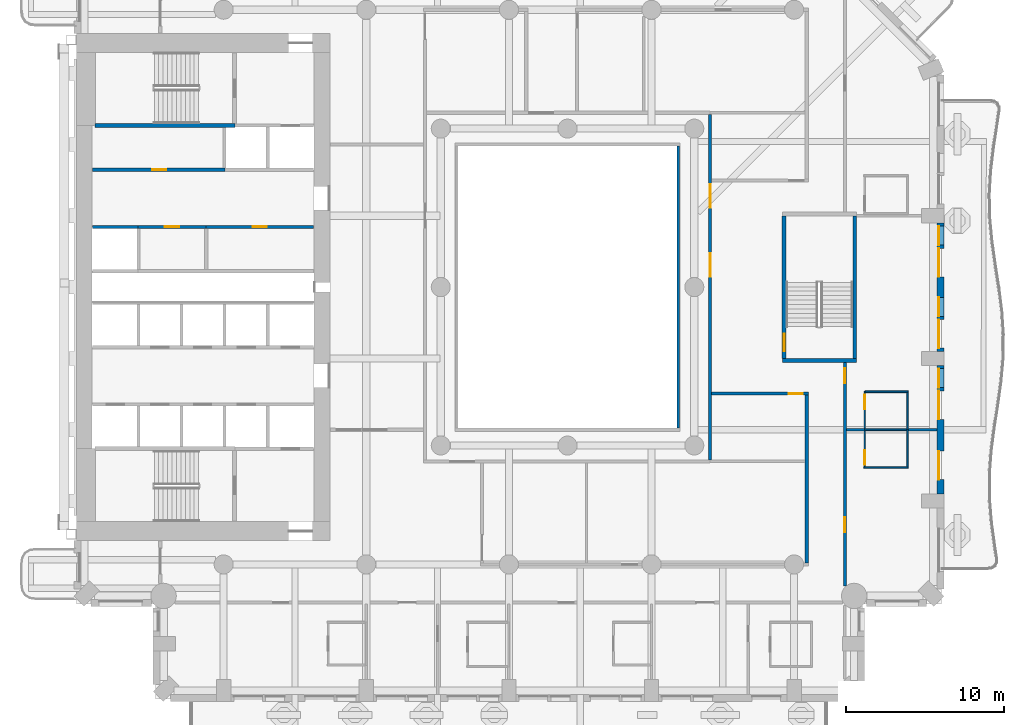
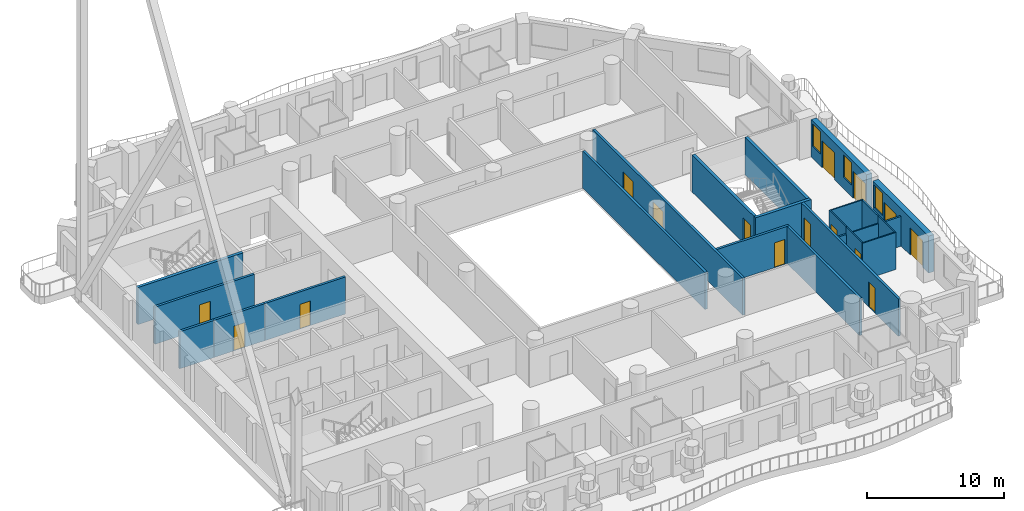
# One storey, part 8 of 24: 24 walls, 15 doors, 3 windows, 18 openings.
"""IFC4 building model written with IfcOpenShell, lengths in metres."""

import ifcopenshell
import ifcopenshell.guid

model = None  # the IFC model being written
_history = None  # IfcOwnerHistory: only IFC2X3 demands one
_inside = {}  # id of a spatial element -> (the spatial element, [elements in it])
_under = {}  # id of a project, library or spatial element -> (it, [spatial elements below it])
_declared = {}  # id of a project -> (the project, [libraries it declares])
_typed = {}  # id of a type object -> (the type object, [elements of that type])
_made_of = {}  # id of a material, layer set ... -> (it, [elements and type objects made of it])


def new_model(schema):
    """Start an empty IFC model of exactly this schema.

    Asked for "IFC4X3", IfcOpenShell would pick the latest addendum, in which some entities
    have other attributes; the version numbers below select the first issue.
    IFC2X3 requires an IfcOwnerHistory on every rooted entity: one is made here for all.
    """
    global model, _history
    if schema == "IFC4X3":
        model = ifcopenshell.file(schema_version=(4, 3, 0, 0))
    else:
        model = ifcopenshell.file(schema=schema)
    _inside.clear()
    _under.clear()
    _declared.clear()
    _typed.clear()
    _made_of.clear()
    _history = None
    if model.schema == "IFC2X3":
        org = make("IfcOrganization", Name="unknown")
        user = make(
            "IfcPersonAndOrganization",
            ThePerson=make("IfcPerson", FamilyName="unknown"),
            TheOrganization=org,
        )
        app = make(
            "IfcApplication",
            ApplicationDeveloper=org,
            Version="unknown",
            ApplicationFullName="unknown",
            ApplicationIdentifier="unknown",
        )
        _history = make(
            "IfcOwnerHistory",
            OwningUser=user,
            OwningApplication=app,
            ChangeAction="ADDED",
            CreationDate=0,
        )
    return model


def make(cls, **values):
    """One entity of the class cls with the attributes given. An attribute that is None is left unset."""
    return model.create_entity(
        cls, **{name: value for name, value in values.items() if value is not None}
    )


def rooted(cls, **values):
    """An entity with a GlobalId (a new one), such as an element, a storey or a relation."""
    return make(cls, GlobalId=ifcopenshell.guid.new(), OwnerHistory=_history, **values)


def si_unit(unit_type, name, prefix=None):
    """IfcSIUnit, for example si_unit("LENGTHUNIT", "METRE", prefix="MILLI")."""
    return make("IfcSIUnit", UnitType=unit_type, Prefix=prefix, Name=name)


def assignment(units):
    """IfcUnitAssignment: the units of a project."""
    return None if units is None else make("IfcUnitAssignment", Units=units)


def point(xyz):
    """IfcCartesianPoint."""
    return None if xyz is None else make("IfcCartesianPoint", Coordinates=xyz)


def direction(xyz):
    """IfcDirection."""
    return None if xyz is None else make("IfcDirection", DirectionRatios=xyz)


def frame(location, z_axis=None, x_axis=None):
    """IfcAxis2Placement3D, a coordinate frame: its origin and axes. An axis left out is left unset."""
    return make(
        "IfcAxis2Placement3D",
        Location=point(location),
        Axis=direction(z_axis),
        RefDirection=direction(x_axis),
    )


def frame_2d(location, x_axis=None):
    """IfcAxis2Placement2D, a coordinate frame in the plane: its origin and x axis."""
    return make(
        "IfcAxis2Placement2D", Location=point(location), RefDirection=direction(x_axis)
    )


def origin():
    """The frame at (0, 0, 0) with its axes left unset."""
    return frame((0.0, 0.0, 0.0))


def place(relative_to, where):
    """IfcLocalPlacement: puts the frame where relative to a parent placement (None: the world)."""
    return make(
        "IfcLocalPlacement", PlacementRelTo=relative_to, RelativePlacement=where
    )


def context(
    kind, dimensions, precision=None, world=None, true_north=None, identifier=None
):
    """IfcGeometricRepresentationContext, for example the 3D "Model" context."""
    return make(
        "IfcGeometricRepresentationContext",
        ContextIdentifier=identifier,
        ContextType=kind,
        CoordinateSpaceDimension=dimensions,
        Precision=precision,
        WorldCoordinateSystem=world,
        TrueNorth=true_north,
    )


def subcontext(parent, identifier, kind, view, scale=None):
    """IfcGeometricRepresentationSubContext, for example "Body" below "Model"."""
    return make(
        "IfcGeometricRepresentationSubContext",
        ContextIdentifier=identifier,
        ContextType=kind,
        ParentContext=parent,
        TargetScale=scale,
        TargetView=view,
    )


def project(units=None, contexts=None):
    """IfcProject with its units and contexts."""
    return rooted(
        "IfcProject",
        Name="project",
        RepresentationContexts=contexts,
        UnitsInContext=assignment(units),
    )


def spatial(cls, under=None, at=None, **own):
    """A site, building, storey or space (cls), placed at a placement, below another one or the project."""
    s = rooted(cls, ObjectPlacement=at, **own)
    if under is not None:
        _under.setdefault(under.id(), (under, []))[1].append(s)
    return s


def profile(cls, at=None, kind="AREA", **sizes):
    """A parametric profile (cls). Its sizes go by their IFC names, for example OverallWidth=200.0."""
    return make(cls, ProfileType=kind, Position=at, **sizes)


def rectangle(**sizes):
    """IfcRectangleProfileDef."""
    return profile("IfcRectangleProfileDef", **sizes)


def extrude(swept, where, along, depth):
    """IfcExtrudedAreaSolid: the profile swept, set in the frame where, extruded along a direction by depth."""
    return make(
        "IfcExtrudedAreaSolid",
        SweptArea=swept,
        Position=where,
        ExtrudedDirection=direction(along),
        Depth=depth,
    )


def shape(context_of_items, identifier, shape_type, items):
    """IfcShapeRepresentation: the items that make up one representation, for example the "Body"."""
    return make(
        "IfcShapeRepresentation",
        ContextOfItems=context_of_items,
        RepresentationIdentifier=identifier,
        RepresentationType=shape_type,
        Items=items,
    )


def material(Name=None, Category=None):
    """IfcMaterial."""
    return make("IfcMaterial", Name=Name, Category=Category)


def layer(
    of_material, thickness, ventilated=None, Name=None, Category=None, Priority=None
):
    """IfcMaterialLayer: one layer of a wall or slab, of a material (None: an air gap)."""
    return make(
        "IfcMaterialLayer",
        Material=of_material,
        LayerThickness=thickness,
        IsVentilated=ventilated,
        Name=Name,
        Category=Category,
        Priority=Priority,
    )


def layer_set(layers, Name=None):
    """IfcMaterialLayerSet."""
    return make("IfcMaterialLayerSet", MaterialLayers=layers, LayerSetName=Name)


def made_of(thing, what):
    """Note that an element or type object is made of a material, layer set ...; save() writes the relation."""
    if what is not None:
        _made_of.setdefault(what.id(), (what, []))[1].append(thing)
    return thing


def type_object(cls, material=None, **own):
    """A type object (cls), such as IfcWallType, which elements share."""
    return made_of(rooted(cls, **own), material)


def element(
    cls,
    number,
    at=None,
    inside=None,
    cuts=None,
    type_object=None,
    material=None,
    context=None,
    identifier="Body",
    shape_type=None,
    held_by="IfcProductDefinitionShape",
    body=None,
    shapes=None,
    **own,
):
    """One element of the class cls, such as IfcWall. Its Tag is "e" and its number.

    at: its placement. inside: the storey or other place that contains it. cuts: it is an
    opening in that element (IfcRelVoidsElement). A single representation is given by context,
    identifier, shape_type and body (its items); several are given by shapes. held_by: the class
    of the entity that holds the representations. save() writes the other relations.
    """
    e = rooted(cls, Tag="e%d" % number, ObjectPlacement=at, **own)
    if body is not None:
        shapes = [shape(context, identifier, shape_type, body)]
    if shapes is not None:
        e.Representation = make(held_by, Representations=shapes)
    if inside is not None:
        _inside.setdefault(inside.id(), (inside, []))[1].append(e)
    if cuts is not None:
        rooted(
            "IfcRelVoidsElement", RelatingBuildingElement=cuts, RelatedOpeningElement=e
        )
    if type_object is not None:
        _typed.setdefault(type_object.id(), (type_object, []))[1].append(e)
    return made_of(e, material)


def fill(opening, filler):
    """IfcRelFillsElement: the door or window that sits in an opening."""
    return rooted(
        "IfcRelFillsElement",
        RelatingOpeningElement=opening,
        RelatedBuildingElement=filler,
    )


def aggregate(whole, parts):
    """IfcRelAggregates: a whole, such as a stair, and the parts it consists of."""
    return rooted("IfcRelAggregates", RelatingObject=whole, RelatedObjects=parts)


def save(model, path):
    """Write the relations noted so far, then the file.

    IfcRelAggregates (storeys below a building ...), IfcRelContainedInSpatialStructure (elements
    in a storey), IfcRelDefinesByType, IfcRelAssociatesMaterial and IfcRelDeclares: one each for
    every whole, place, type object, material and project.
    """
    for whole, parts in _under.values():
        aggregate(whole, parts)
    for where, things in _inside.values():
        rooted(
            "IfcRelContainedInSpatialStructure",
            RelatedElements=things,
            RelatingStructure=where,
        )
    for kind, things in _typed.values():
        rooted("IfcRelDefinesByType", RelatedObjects=things, RelatingType=kind)
    for what, things in _made_of.values():
        rooted("IfcRelAssociatesMaterial", RelatedObjects=things, RelatingMaterial=what)
    for by, libraries in _declared.values():
        rooted("IfcRelDeclares", RelatingContext=by, RelatedDefinitions=libraries)
    model.write(path)


model = new_model("IFC4")

# Units and contexts
model_context = context("Model", 3, precision=1e-05, world=origin(), true_north=direction((0.0, 1.0)))
body_context = subcontext(model_context, "Body", "Model", "MODEL_VIEW")
ifc_project = project(units=[si_unit("LENGTHUNIT", "METRE"), si_unit("AREAUNIT", "SQUARE_METRE"), si_unit("VOLUMEUNIT", "CUBIC_METRE"), si_unit("PLANEANGLEUNIT", "RADIAN"), si_unit("MASSUNIT", "GRAM", prefix="KILO")], contexts=[model_context])

# Site, building, storey
site_placement = place(None, origin())
site = spatial("IfcSite", under=ifc_project, at=site_placement, CompositionType="ELEMENT")
building_placement = place(site_placement, origin())
building = spatial("IfcBuilding", under=site, at=building_placement, Name="Cypress Arch Tower", CompositionType="ELEMENT")
storey_placement = place(building_placement, frame((0.0, 0.0, 102.300048828125)))
storey = spatial("IfcBuildingStorey", under=building, at=storey_placement, Name="L20", CompositionType="ELEMENT", Elevation=102.300048828125)

# Wall, openings, doors, window
ifc_material_1 = material(Name="Brick (red buff blend)", Category="masonry")
ifc_layer_1 = layer(ifc_material_1, 0.449951171875)
ifc_layer_set_1 = layer_set([ifc_layer_1], Name="Brick pier and spandrel wall BW450")
wall_type_1 = type_object("IfcWallType", Name="Brick pier and spandrel wall BW450", PredefinedType="SOLIDWALL", material=ifc_layer_set_1)
wall_1_placement = place(storey_placement, frame((24.52490234375, -13.050048828125, 0.0), z_axis=(0.0, 0.0, 1.0), x_axis=(0.0, 1.0, 0.0)))
wall_1 = element("IfcWall", 1, at=wall_1_placement, inside=storey, type_object=wall_type_1, Name="Brick wall L20 A06.1", PredefinedType="SOLIDWALL", context=body_context, shape_type="SweptSolid", body=[
    extrude(rectangle(XDim=8.10009765625, YDim=0.449951171875, at=frame_2d((4.050048828125, 0.0))), origin(), (0.0, 0.0, 1.0), 3.300048828125),
])
opening_1_placement = place(wall_1_placement, frame((0.89990234375, 0.0, 0.0)))
opening_1 = element("IfcOpeningElement", 2, at=opening_1_placement, cuts=wall_1, Name="Opening D-L20-A06.1.1", PredefinedType="OPENING", context=body_context, shape_type="SweptSolid", body=[
    extrude(rectangle(XDim=1.800048828125, YDim=2.39990234375, at=frame_2d((0.89990234375, 1.199951171875))), frame((0.0, 0.23486328125, 0.0), z_axis=(0.0, -1.0, 0.0), x_axis=(1.0, 0.0, 0.0)), (0.0, 0.0, 1.0), 0.469970703125),
])
opening_2_placement = place(wall_1_placement, frame((4.699951171875, 0.0, 0.0)))
opening_2 = element("IfcOpeningElement", 3, at=opening_2_placement, cuts=wall_1, Name="Opening D-L20-A06.1.2", PredefinedType="OPENING", context=body_context, shape_type="SweptSolid", body=[
    extrude(rectangle(XDim=1.800048828125, YDim=2.39990234375, at=frame_2d((0.89990234375, 1.199951171875))), frame((0.0, 0.23486328125, 0.0), z_axis=(0.0, -1.0, 0.0), x_axis=(1.0, 0.0, 0.0)), (0.0, 0.0, 1.0), 0.469970703125),
])
opening_3_placement = place(wall_1_placement, frame((6.699951171875, 0.0, 1.050048828125)))
opening_3 = element("IfcOpeningElement", 4, at=opening_3_placement, cuts=wall_1, Name="Opening W120HD", PredefinedType="OPENING", context=body_context, shape_type="SweptSolid", body=[
    extrude(rectangle(XDim=1.199951171875, YDim=2.0, at=frame_2d((0.60009765625, 1.0))), frame((0.0, 0.23486328125, 0.0), z_axis=(0.0, -1.0, 0.0), x_axis=(1.0, 0.0, 0.0)), (0.0, 0.0, 1.0), 0.469970703125),
])
ifc_material_2 = material(Name="Anodised aluminium, bronze finish, laminated low-emissivity double glazing, large-missile impact rated", Category="aluminium")
door_type_1 = type_object("IfcDoorType", Name="Balcony sliding door 1800x2400", OperationType="SLIDING_TO_LEFT", PredefinedType="DOOR", material=ifc_material_2)
door_1_placement = place(opening_1_placement, origin())
door_1 = element("IfcDoor", 5, at=door_1_placement, inside=storey, type_object=door_type_1, Name="Balcony door L20 A06.1.1", OperationType="SLIDING_TO_LEFT", OverallHeight=2.39990234375, OverallWidth=1.800048828125, PredefinedType="DOOR", context=body_context, shape_type="SweptSolid", body=[
    extrude(rectangle(XDim=1.800048828125, YDim=2.39990234375, at=frame_2d((0.89990234375, 1.199951171875))), frame((0.0, 0.1298828125, 0.0), z_axis=(0.0, -1.0, 0.0), x_axis=(1.0, 0.0, 0.0)), (0.0, 0.0, 1.0), 0.050048828125),
])
fill(opening_1, door_1)
door_2_placement = place(opening_2_placement, origin())
door_2 = element("IfcDoor", 6, at=door_2_placement, inside=storey, type_object=door_type_1, Name="Balcony door L20 A06.1.2", OperationType="SLIDING_TO_LEFT", OverallHeight=2.39990234375, OverallWidth=1.800048828125, PredefinedType="DOOR", context=body_context, shape_type="SweptSolid", body=[
    extrude(rectangle(XDim=1.800048828125, YDim=2.39990234375, at=frame_2d((0.89990234375, 1.199951171875))), frame((0.0, 0.1298828125, 0.0), z_axis=(0.0, -1.0, 0.0), x_axis=(1.0, 0.0, 0.0)), (0.0, 0.0, 1.0), 0.050048828125),
])
fill(opening_2, door_2)
ifc_material_3 = material(Name="Anodised aluminium, bronze finish, laminated low-emissivity double glazing, large-missile impact rated", Category="aluminium")
window_type = type_object("IfcWindowType", Name="Window Hotel 1200x2000 debris-rated", PartitioningType="SINGLE_PANEL", PredefinedType="WINDOW", material=ifc_material_3)
window_1_placement = place(opening_3_placement, origin())
window_1 = element("IfcWindow", 7, at=window_1_placement, inside=storey, type_object=window_type, Name="Window L20 A06.1.2", OverallHeight=2.0, OverallWidth=1.199951171875, PartitioningType="SINGLE_PANEL", PredefinedType="WINDOW", context=body_context, shape_type="SweptSolid", body=[
    extrude(rectangle(XDim=1.199951171875, YDim=2.0, at=frame_2d((0.60009765625, 1.0))), frame((0.0, 0.135009765625, 0.0), z_axis=(0.0, -1.0, 0.0), x_axis=(1.0, 0.0, 0.0)), (0.0, 0.0, 1.0), 0.06005859375),
])
fill(opening_3, window_1)

# Wall, openings, doors, windows
wall_2_placement = place(storey_placement, frame((24.52490234375, -4.050048828125, 0.0), z_axis=(0.0, 0.0, 1.0), x_axis=(0.0, 1.0, 0.0)))
wall_2 = element("IfcWall", 8, at=wall_2_placement, inside=storey, type_object=wall_type_1, Name="Brick wall L20 A06.2", PredefinedType="SOLIDWALL", context=body_context, shape_type="SweptSolid", body=[
    extrude(rectangle(XDim=8.10009765625, YDim=0.449951171875, at=frame_2d((4.050048828125, 0.0))), origin(), (0.0, 0.0, 1.0), 3.300048828125),
])
opening_4_placement = place(wall_2_placement, frame((0.199951171875, 0.0, 0.0)))
opening_4 = element("IfcOpeningElement", 9, at=opening_4_placement, cuts=wall_2, Name="Opening D-L20-A06.2.1", PredefinedType="OPENING", context=body_context, shape_type="SweptSolid", body=[
    extrude(rectangle(XDim=1.800048828125, YDim=2.39990234375, at=frame_2d((0.89990234375, 1.199951171875))), frame((0.0, 0.23486328125, 0.0), z_axis=(0.0, -1.0, 0.0), x_axis=(1.0, 0.0, 0.0)), (0.0, 0.0, 1.0), 0.469970703125),
])
opening_5_placement = place(wall_2_placement, frame((2.199951171875, 0.0, 1.050048828125)))
opening_5 = element("IfcOpeningElement", 10, at=opening_5_placement, cuts=wall_2, Name="Opening W120HD", PredefinedType="OPENING", context=body_context, shape_type="SweptSolid", body=[
    extrude(rectangle(XDim=1.199951171875, YDim=2.0, at=frame_2d((0.60009765625, 1.0))), frame((0.0, 0.23486328125, 0.0), z_axis=(0.0, -1.0, 0.0), x_axis=(1.0, 0.0, 0.0)), (0.0, 0.0, 1.0), 0.469970703125),
])
opening_6_placement = place(wall_2_placement, frame((4.699951171875, 0.0, 0.0)))
opening_6 = element("IfcOpeningElement", 11, at=opening_6_placement, cuts=wall_2, Name="Opening D-L20-A06.2.2", PredefinedType="OPENING", context=body_context, shape_type="SweptSolid", body=[
    extrude(rectangle(XDim=1.800048828125, YDim=2.39990234375, at=frame_2d((0.89990234375, 1.199951171875))), frame((0.0, 0.23486328125, 0.0), z_axis=(0.0, -1.0, 0.0), x_axis=(1.0, 0.0, 0.0)), (0.0, 0.0, 1.0), 0.469970703125),
])
opening_7_placement = place(wall_2_placement, frame((6.699951171875, 0.0, 1.050048828125)))
opening_7 = element("IfcOpeningElement", 12, at=opening_7_placement, cuts=wall_2, Name="Opening W120HD", PredefinedType="OPENING", context=body_context, shape_type="SweptSolid", body=[
    extrude(rectangle(XDim=1.199951171875, YDim=2.0, at=frame_2d((0.60009765625, 1.0))), frame((0.0, 0.23486328125, 0.0), z_axis=(0.0, -1.0, 0.0), x_axis=(1.0, 0.0, 0.0)), (0.0, 0.0, 1.0), 0.469970703125),
])
door_3_placement = place(opening_4_placement, origin())
door_3 = element("IfcDoor", 13, at=door_3_placement, inside=storey, type_object=door_type_1, Name="Balcony door L20 A06.2.1", OperationType="SLIDING_TO_LEFT", OverallHeight=2.39990234375, OverallWidth=1.800048828125, PredefinedType="DOOR", context=body_context, shape_type="SweptSolid", body=[
    extrude(rectangle(XDim=1.800048828125, YDim=2.39990234375, at=frame_2d((0.89990234375, 1.199951171875))), frame((0.0, 0.1298828125, 0.0), z_axis=(0.0, -1.0, 0.0), x_axis=(1.0, 0.0, 0.0)), (0.0, 0.0, 1.0), 0.050048828125),
])
fill(opening_4, door_3)
door_4_placement = place(opening_6_placement, origin())
door_4 = element("IfcDoor", 14, at=door_4_placement, inside=storey, type_object=door_type_1, Name="Balcony door L20 A06.2.2", OperationType="SLIDING_TO_LEFT", OverallHeight=2.39990234375, OverallWidth=1.800048828125, PredefinedType="DOOR", context=body_context, shape_type="SweptSolid", body=[
    extrude(rectangle(XDim=1.800048828125, YDim=2.39990234375, at=frame_2d((0.89990234375, 1.199951171875))), frame((0.0, 0.1298828125, 0.0), z_axis=(0.0, -1.0, 0.0), x_axis=(1.0, 0.0, 0.0)), (0.0, 0.0, 1.0), 0.050048828125),
])
fill(opening_6, door_4)
window_2_placement = place(opening_5_placement, origin())
window_2 = element("IfcWindow", 15, at=window_2_placement, inside=storey, type_object=window_type, Name="Window L20 A06.2.1", OverallHeight=2.0, OverallWidth=1.199951171875, PartitioningType="SINGLE_PANEL", PredefinedType="WINDOW", context=body_context, shape_type="SweptSolid", body=[
    extrude(rectangle(XDim=1.199951171875, YDim=2.0, at=frame_2d((0.60009765625, 1.0))), frame((0.0, 0.135009765625, 0.0), z_axis=(0.0, -1.0, 0.0), x_axis=(1.0, 0.0, 0.0)), (0.0, 0.0, 1.0), 0.06005859375),
])
fill(opening_5, window_2)
window_3_placement = place(opening_7_placement, origin())
window_3 = element("IfcWindow", 16, at=window_3_placement, inside=storey, type_object=window_type, Name="Window L20 A06.2.2", OverallHeight=2.0, OverallWidth=1.199951171875, PartitioningType="SINGLE_PANEL", PredefinedType="WINDOW", context=body_context, shape_type="SweptSolid", body=[
    extrude(rectangle(XDim=1.199951171875, YDim=2.0, at=frame_2d((0.60009765625, 1.0))), frame((0.0, 0.135009765625, 0.0), z_axis=(0.0, -1.0, 0.0), x_axis=(1.0, 0.0, 0.0)), (0.0, 0.0, 1.0), 0.06005859375),
])
fill(opening_7, window_3)

# Wall, opening, door
ifc_material_4 = material(Name="Concrete blockwork, plastered, rated", Category="masonry")
ifc_layer_2 = layer(ifc_material_4, 0.199951171875)
ifc_layer_set_2 = layer_set([ifc_layer_2], Name="Corridor wall FW200")
wall_type_2 = type_object("IfcWallType", Name="Corridor wall FW200", PredefinedType="PARTITIONING", material=ifc_layer_set_2)
wall_3_placement = place(storey_placement, frame((-28.969970703125, 7.39990234375, 0.0), z_axis=(0.0, 0.0, 1.0), x_axis=(1.0, 0.0, 0.0)))
wall_3 = element("IfcWall", 17, at=wall_3_placement, inside=storey, type_object=wall_type_2, Name="Corridor wall", PredefinedType="PARTITIONING", context=body_context, shape_type="SweptSolid", body=[
    extrude(rectangle(XDim=8.349853515625, YDim=0.199951171875, at=frame_2d((4.1748046875, 0.0))), origin(), (0.0, 0.0, 1.0), 3.300048828125),
])
opening_8_placement = place(wall_3_placement, frame((3.75, 0.0, 0.0)))
opening_8 = element("IfcOpeningElement", 18, at=opening_8_placement, cuts=wall_3, Name="Opening D05", PredefinedType="OPENING", context=body_context, shape_type="SweptSolid", body=[
    extrude(rectangle(XDim=0.89990234375, YDim=2.199951171875, at=frame_2d((0.449951171875, 1.10009765625))), frame((0.0, 0.10986328125, 0.0), z_axis=(0.0, -1.0, 0.0), x_axis=(1.0, 0.0, 0.0)), (0.0, 0.0, 1.0), 0.219970703125),
])
ifc_material_5 = material(Name="Timber flush door", Category="wood")
door_type_2 = type_object("IfcDoorType", Name="Service door D05 900x2200", OperationType="SINGLE_SWING_LEFT", PredefinedType="DOOR", material=ifc_material_5)
door_5_placement = place(opening_8_placement, origin())
door_5 = element("IfcDoor", 19, at=door_5_placement, inside=storey, type_object=door_type_2, Name="Service door", OperationType="SINGLE_SWING_RIGHT", OverallHeight=2.199951171875, OverallWidth=0.89990234375, PredefinedType="DOOR", context=body_context, shape_type="SweptSolid", body=[
    extrude(rectangle(XDim=0.89990234375, YDim=2.199951171875, at=frame_2d((0.449951171875, 1.10009765625))), frame((0.0, 0.02490234375, 0.0), z_axis=(0.0, -1.0, 0.0), x_axis=(1.0, 0.0, 0.0)), (0.0, 0.0, 1.0), 0.050048828125),
])
fill(opening_8, door_5)

wall_4_placement = place(storey_placement, frame((-21.820068359375, 3.800048828125, 0.0), z_axis=(0.0, 0.0, 1.0), x_axis=(1.0, 0.0, 0.0)))
wall_4 = element("IfcWall", 20, at=wall_4_placement, inside=storey, type_object=wall_type_2, Name="Corridor wall", PredefinedType="PARTITIONING", context=body_context, shape_type="SweptSolid", body=[
    extrude(rectangle(XDim=6.7900390625, YDim=0.199951171875, at=frame_2d((3.39501953125, 0.0))), origin(), (0.0, 0.0, 1.0), 3.300048828125),
])
opening_9_placement = place(wall_4_placement, frame((2.949951171875, 0.0, 0.0)))
opening_9 = element("IfcOpeningElement", 21, at=opening_9_placement, cuts=wall_4, Name="Opening D05", PredefinedType="OPENING", context=body_context, shape_type="SweptSolid", body=[
    extrude(rectangle(XDim=0.89990234375, YDim=2.199951171875, at=frame_2d((0.449951171875, 1.10009765625))), frame((0.0, 0.10986328125, 0.0), z_axis=(0.0, -1.0, 0.0), x_axis=(1.0, 0.0, 0.0)), (0.0, 0.0, 1.0), 0.219970703125),
])
door_6_placement = place(opening_9_placement, origin())
door_6 = element("IfcDoor", 22, at=door_6_placement, inside=storey, type_object=door_type_2, Name="Service door", OperationType="SINGLE_SWING_RIGHT", OverallHeight=2.199951171875, OverallWidth=0.89990234375, PredefinedType="DOOR", context=body_context, shape_type="SweptSolid", body=[
    extrude(rectangle(XDim=0.89990234375, YDim=2.199951171875, at=frame_2d((0.449951171875, 1.10009765625))), frame((0.0, 0.02490234375, 0.0), z_axis=(0.0, -1.0, 0.0), x_axis=(1.0, 0.0, 0.0)), (0.0, 0.0, 1.0), 0.050048828125),
])
fill(opening_9, door_6)

# Wall
wall_5_placement = place(storey_placement, frame((8.0, -8.89990234375, 0.0), z_axis=(0.0, 0.0, 1.0), x_axis=(0.0, 1.0, 0.0)))
element("IfcWall", 23, at=wall_5_placement, inside=storey, type_object=wall_type_2, Name="Corridor wall", PredefinedType="PARTITIONING", context=body_context, shape_type="SweptSolid", body=[
    extrude(rectangle(XDim=17.7998046875, YDim=0.199951171875, at=frame_2d((8.89990234375, 0.0))), origin(), (0.0, 0.0, 1.0), 3.300048828125),
])

# Wall, openings, doors
wall_6_placement = place(storey_placement, frame((10.0, -10.89990234375, 0.0), z_axis=(0.0, 0.0, 1.0), x_axis=(0.0, 1.0, 0.0)))
wall_6 = element("IfcWall", 24, at=wall_6_placement, inside=storey, type_object=wall_type_2, Name="Corridor wall", PredefinedType="PARTITIONING", context=body_context, shape_type="SweptSolid", body=[
    extrude(rectangle(XDim=21.7998046875, YDim=0.199951171875, at=frame_2d((10.89990234375, 0.0))), origin(), (0.0, 0.0, 1.0), 3.300048828125),
])
opening_10_placement = place(wall_6_placement, frame((15.89990234375, 0.0, 0.0)))
opening_10 = element("IfcOpeningElement", 25, at=opening_10_placement, cuts=wall_6, Name="Opening D04", PredefinedType="OPENING", context=body_context, shape_type="SweptSolid", body=[
    extrude(rectangle(XDim=1.5, YDim=2.199951171875, at=frame_2d((0.75, 1.10009765625))), frame((0.0, 0.10986328125, 0.0), z_axis=(0.0, -1.0, 0.0), x_axis=(1.0, 0.0, 0.0)), (0.0, 0.0, 1.0), 0.219970703125),
])
opening_11_placement = place(wall_6_placement, frame((11.550048828125, 0.0, 0.0)))
opening_11 = element("IfcOpeningElement", 26, at=opening_11_placement, cuts=wall_6, Name="Opening D04", PredefinedType="OPENING", context=body_context, shape_type="SweptSolid", body=[
    extrude(rectangle(XDim=1.5, YDim=2.199951171875, at=frame_2d((0.75, 1.10009765625))), frame((0.0, 0.10986328125, 0.0), z_axis=(0.0, -1.0, 0.0), x_axis=(1.0, 0.0, 0.0)), (0.0, 0.0, 1.0), 0.219970703125),
])
ifc_material_6 = material(Name="Timber double door", Category="wood")
door_type_3 = type_object("IfcDoorType", Name="Double door D04 1500x2200", OperationType="DOUBLE_DOOR_SINGLE_SWING", PredefinedType="DOOR", material=ifc_material_6)
door_7_placement = place(opening_10_placement, origin())
door_7 = element("IfcDoor", 27, at=door_7_placement, inside=storey, type_object=door_type_3, Name="Double door", OperationType="DOUBLE_DOOR_SINGLE_SWING", OverallHeight=2.199951171875, OverallWidth=1.5, PredefinedType="DOOR", context=body_context, shape_type="SweptSolid", body=[
    extrude(rectangle(XDim=1.5, YDim=2.199951171875, at=frame_2d((0.75, 1.10009765625))), frame((0.0, 0.02490234375, 0.0), z_axis=(0.0, -1.0, 0.0), x_axis=(1.0, 0.0, 0.0)), (0.0, 0.0, 1.0), 0.050048828125),
])
fill(opening_10, door_7)
door_8_placement = place(opening_11_placement, origin())
door_8 = element("IfcDoor", 28, at=door_8_placement, inside=storey, type_object=door_type_3, Name="Double door", OperationType="DOUBLE_DOOR_SINGLE_SWING", OverallHeight=2.199951171875, OverallWidth=1.5, PredefinedType="DOOR", context=body_context, shape_type="SweptSolid", body=[
    extrude(rectangle(XDim=1.5, YDim=2.199951171875, at=frame_2d((0.75, 1.10009765625))), frame((0.0, 0.02490234375, 0.0), z_axis=(0.0, -1.0, 0.0), x_axis=(1.0, 0.0, 0.0)), (0.0, 0.0, 1.0), 0.050048828125),
])
fill(opening_11, door_8)

# Wall, opening, door
wall_7_placement = place(storey_placement, frame((10.10009765625, -6.72509765625, 0.0), z_axis=(0.0, 0.0, 1.0), x_axis=(1.0, 0.0, 0.0)))
wall_7 = element("IfcWall", 29, at=wall_7_placement, inside=storey, type_object=wall_type_2, Name="Corridor wall", PredefinedType="PARTITIONING", context=body_context, shape_type="SweptSolid", body=[
    extrude(rectangle(XDim=6.099853515625, YDim=0.199951171875, at=frame_2d((3.0498046875, 0.0))), origin(), (0.0, 0.0, 1.0), 3.300048828125),
])
opening_12_placement = place(wall_7_placement, frame((4.85009765625, 0.0, 0.0)))
opening_12 = element("IfcOpeningElement", 30, at=opening_12_placement, cuts=wall_7, Name="Opening D05", PredefinedType="OPENING", context=body_context, shape_type="SweptSolid", body=[
    extrude(rectangle(XDim=0.89990234375, YDim=2.199951171875, at=frame_2d((0.449951171875, 1.10009765625))), frame((0.0, 0.10986328125, 0.0), z_axis=(0.0, -1.0, 0.0), x_axis=(1.0, 0.0, 0.0)), (0.0, 0.0, 1.0), 0.219970703125),
])
door_9_placement = place(opening_12_placement, origin())
door_9 = element("IfcDoor", 31, at=door_9_placement, inside=storey, type_object=door_type_2, Name="Service door", OperationType="SINGLE_SWING_LEFT", OverallHeight=2.199951171875, OverallWidth=0.89990234375, PredefinedType="DOOR", context=body_context, shape_type="SweptSolid", body=[
    extrude(rectangle(XDim=0.89990234375, YDim=2.199951171875, at=frame_2d((0.449951171875, 1.10009765625))), frame((0.0, 0.02490234375, 0.0), z_axis=(0.0, -1.0, 0.0), x_axis=(1.0, 0.0, 0.0)), (0.0, 0.0, 1.0), 0.050048828125),
])
fill(opening_12, door_9)

# Wall
wall_8_placement = place(storey_placement, frame((16.10009765625, -17.39990234375, 0.0), z_axis=(0.0, 0.0, 1.0), x_axis=(0.0, 1.0, 0.0)))
element("IfcWall", 32, at=wall_8_placement, inside=storey, type_object=wall_type_2, Name="Corridor wall", PredefinedType="PARTITIONING", context=body_context, shape_type="SweptSolid", body=[
    extrude(rectangle(XDim=10.574951171875, YDim=0.199951171875, at=frame_2d((5.28759765625, 0.0))), origin(), (0.0, 0.0, 1.0), 3.300048828125),
])

# Wall, openings, doors
wall_9_placement = place(storey_placement, frame((18.5, -18.869140625, 0.0), z_axis=(0.0, 0.0, 1.0), x_axis=(0.0, 1.0, 0.0)))
wall_9 = element("IfcWall", 33, at=wall_9_placement, inside=storey, type_object=wall_type_2, Name="Corridor wall", PredefinedType="PARTITIONING", context=body_context, shape_type="SweptSolid", body=[
    extrude(rectangle(XDim=14.119140625, YDim=0.199951171875, at=frame_2d((7.0595703125, 0.0))), origin(), (0.0, 0.0, 1.0), 3.300048828125),
])
opening_13_placement = place(wall_9_placement, frame((3.39990234375, 0.0, 0.0)))
opening_13 = element("IfcOpeningElement", 34, at=opening_13_placement, cuts=wall_9, Name="Opening D02", PredefinedType="OPENING", context=body_context, shape_type="SweptSolid", body=[
    extrude(rectangle(XDim=0.949951171875, YDim=2.199951171875, at=frame_2d((0.47509765625, 1.10009765625))), frame((0.0, 0.10986328125, 0.0), z_axis=(0.0, -1.0, 0.0), x_axis=(1.0, 0.0, 0.0)), (0.0, 0.0, 1.0), 0.219970703125),
])
opening_14_placement = place(wall_9_placement, frame((12.800048828125, 0.0, 0.0)))
opening_14 = element("IfcOpeningElement", 35, at=opening_14_placement, cuts=wall_9, Name="Opening D02", PredefinedType="OPENING", context=body_context, shape_type="SweptSolid", body=[
    extrude(rectangle(XDim=0.949951171875, YDim=2.199951171875, at=frame_2d((0.47509765625, 1.10009765625))), frame((0.0, 0.10986328125, 0.0), z_axis=(0.0, -1.0, 0.0), x_axis=(1.0, 0.0, 0.0)), (0.0, 0.0, 1.0), 0.219970703125),
])
ifc_material_7 = material(Name="Timber flush door, fire resisting", Category="wood")
door_type_4 = type_object("IfcDoorType", Name="Room door D02 950x2200", OperationType="SINGLE_SWING_LEFT", PredefinedType="DOOR", material=ifc_material_7)
door_10_placement = place(opening_13_placement, origin())
door_10 = element("IfcDoor", 36, at=door_10_placement, inside=storey, type_object=door_type_4, Name="Room door", OperationType="SINGLE_SWING_RIGHT", OverallHeight=2.199951171875, OverallWidth=0.949951171875, PredefinedType="DOOR", context=body_context, shape_type="SweptSolid", body=[
    extrude(rectangle(XDim=0.949951171875, YDim=2.199951171875, at=frame_2d((0.47509765625, 1.10009765625))), frame((0.0, 0.02490234375, 0.0), z_axis=(0.0, -1.0, 0.0), x_axis=(1.0, 0.0, 0.0)), (0.0, 0.0, 1.0), 0.050048828125),
])
fill(opening_13, door_10)
door_11_placement = place(opening_14_placement, origin())
door_11 = element("IfcDoor", 37, at=door_11_placement, inside=storey, type_object=door_type_4, Name="Room door", OperationType="SINGLE_SWING_LEFT", OverallHeight=2.199951171875, OverallWidth=0.949951171875, PredefinedType="DOOR", context=body_context, shape_type="SweptSolid", body=[
    extrude(rectangle(XDim=0.949951171875, YDim=2.199951171875, at=frame_2d((0.47509765625, 1.10009765625))), frame((0.0, 0.02490234375, 0.0), z_axis=(0.0, -1.0, 0.0), x_axis=(1.0, 0.0, 0.0)), (0.0, 0.0, 1.0), 0.050048828125),
])
fill(opening_14, door_11)

# Walls
ifc_material_8 = material(Name="Blockwork, plastered both sides", Category="masonry")
ifc_layer_3 = layer(ifc_material_8, 0.14990234375)
ifc_layer_set_3 = layer_set([ifc_layer_3], Name="Partition PW150")
wall_type_3 = type_object("IfcWallType", Name="Partition PW150", PredefinedType="PARTITIONING", material=ifc_layer_set_3)
wall_10_placement = place(storey_placement, frame((18.60009765625, -9.0, 0.0), z_axis=(0.0, 0.0, 1.0), x_axis=(1.0, 0.0, 0.0)))
element("IfcWall", 38, at=wall_10_placement, inside=storey, type_object=wall_type_3, Name="Partition", PredefinedType="PARTITIONING", context=body_context, shape_type="SweptSolid", body=[
    extrude(rectangle(XDim=1.1298828125, YDim=0.14990234375, at=frame_2d((0.56494140625, 0.0))), origin(), (0.0, 0.0, 1.0), 2.64990234375),
])
wall_11_placement = place(storey_placement, frame((22.469970703125, -9.0, 0.0), z_axis=(0.0, 0.0, 1.0), x_axis=(1.0, 0.0, 0.0)))
element("IfcWall", 39, at=wall_11_placement, inside=storey, type_object=wall_type_3, Name="Partition", PredefinedType="PARTITIONING", context=body_context, shape_type="SweptSolid", body=[
    extrude(rectangle(XDim=1.830078125, YDim=0.14990234375, at=frame_2d((0.9150390625, 0.0))), origin(), (0.0, 0.0, 1.0), 2.64990234375),
])

# Wall, opening, door
ifc_material_9 = material(Name="Reinforced blockwork, plastered, rated", Category="masonry")
ifc_layer_4 = layer(ifc_material_9, 0.199951171875)
ifc_layer_set_4 = layer_set([ifc_layer_4], Name="Plant and riser wall PL200")
wall_type_4 = type_object("IfcWallType", Name="Plant and riser wall PL200", PredefinedType="PARTITIONING", material=ifc_layer_set_4)
wall_12_placement = place(storey_placement, frame((-26.10009765625, 3.800048828125, 0.0), z_axis=(0.0, 0.0, 1.0), x_axis=(1.0, 0.0, 0.0)))
wall_12 = element("IfcWall", 40, at=wall_12_placement, inside=storey, type_object=wall_type_4, Name="Plant and riser wall", PredefinedType="PARTITIONING", context=body_context, shape_type="SweptSolid", body=[
    extrude(rectangle(XDim=4.280029296875, YDim=0.199951171875, at=frame_2d((2.14013671875, 0.0))), origin(), (0.0, 0.0, 1.0), 3.300048828125),
])
opening_15_placement = place(wall_12_placement, frame((1.699951171875, 0.0, 0.0)))
opening_15 = element("IfcOpeningElement", 41, at=opening_15_placement, cuts=wall_12, Name="Opening D05", PredefinedType="OPENING", context=body_context, shape_type="SweptSolid", body=[
    extrude(rectangle(XDim=0.89990234375, YDim=2.199951171875, at=frame_2d((0.449951171875, 1.10009765625))), frame((0.0, 0.10986328125, 0.0), z_axis=(0.0, -1.0, 0.0), x_axis=(1.0, 0.0, 0.0)), (0.0, 0.0, 1.0), 0.219970703125),
])
door_12_placement = place(opening_15_placement, origin())
door_12 = element("IfcDoor", 42, at=door_12_placement, inside=storey, type_object=door_type_2, Name="Service door", OperationType="SINGLE_SWING_RIGHT", OverallHeight=2.199951171875, OverallWidth=0.89990234375, PredefinedType="DOOR", context=body_context, shape_type="SweptSolid", body=[
    extrude(rectangle(XDim=0.89990234375, YDim=2.199951171875, at=frame_2d((0.449951171875, 1.10009765625))), frame((0.0, 0.02490234375, 0.0), z_axis=(0.0, -1.0, 0.0), x_axis=(1.0, 0.0, 0.0)), (0.0, 0.0, 1.0), 0.050048828125),
])
fill(opening_15, door_12)

# Walls
ifc_material_10 = material(Name="Concrete C50/60", Category="concrete")
ifc_layer_5 = layer(ifc_material_10, 0.199951171875)
ifc_layer_set_5 = layer_set([ifc_layer_5], Name="Shaft wall SH200")
wall_type_5 = type_object("IfcWallType", Name="Shaft wall SH200", PredefinedType="SHEAR", material=ifc_layer_set_5)
wall_13_placement = place(storey_placement, frame((-28.969970703125, 3.800048828125, 0.0), z_axis=(0.0, 0.0, 1.0), x_axis=(1.0, 0.0, 0.0)))
element("IfcWall", 43, at=wall_13_placement, inside=storey, type_object=wall_type_5, Name="Shaft wall", PredefinedType="SHEAR", context=body_context, shape_type="SweptSolid", body=[
    extrude(rectangle(XDim=2.869873046875, YDim=0.199951171875, at=frame_2d((1.43505859375, 0.0))), origin(), (0.0, 0.0, 1.0), 3.300048828125),
])
ifc_material_11 = material(Name="Concrete C50/60", Category="concrete")
ifc_layer_6 = layer(ifc_material_11, 0.25)
ifc_layer_set_6 = layer_set([ifc_layer_6], Name="Stair enclosure wall SW250")
wall_type_6 = type_object("IfcWallType", Name="Stair enclosure wall SW250", PredefinedType="SHEAR", material=ifc_layer_set_6)
wall_14_placement = place(storey_placement, frame((-28.81005859375, 10.199951171875, 0.0), z_axis=(0.0, 0.0, 1.0), x_axis=(1.0, 0.0, 0.0)))
element("IfcWall", 44, at=wall_14_placement, inside=storey, type_object=wall_type_6, Name="Stair enclosure wall", PredefinedType="SHEAR", context=body_context, shape_type="SweptSolid", body=[
    extrude(rectangle(XDim=8.830078125, YDim=0.25, at=frame_2d((4.4150390625, 0.0))), origin(), (0.0, 0.0, 1.0), 3.300048828125),
])

# Wall, opening, door
wall_15_placement = place(storey_placement, frame((14.675048828125, -4.5, 0.0), z_axis=(0.0, 0.0, 1.0), x_axis=(0.0, 1.0, 0.0)))
wall_15 = element("IfcWall", 45, at=wall_15_placement, inside=storey, type_object=wall_type_6, Name="Stair enclosure wall", PredefinedType="SHEAR", context=body_context, shape_type="SweptSolid", body=[
    extrude(rectangle(XDim=9.0, YDim=0.25, at=frame_2d((4.5, 0.0))), origin(), (0.0, 0.0, 1.0), 3.300048828125),
])
opening_16_placement = place(wall_15_placement, frame((0.449951171875, 0.0, 0.0)))
opening_16 = element("IfcOpeningElement", 46, at=opening_16_placement, cuts=wall_15, Name="Opening D06", PredefinedType="OPENING", context=body_context, shape_type="SweptSolid", body=[
    extrude(rectangle(XDim=1.10009765625, YDim=2.199951171875, at=frame_2d((0.550048828125, 1.10009765625))), frame((0.0, 0.135009765625, 0.0), z_axis=(0.0, -1.0, 0.0), x_axis=(1.0, 0.0, 0.0)), (0.0, 0.0, 1.0), 0.27001953125),
])
ifc_material_12 = material(Name="Steel door, fire resisting, panic bar", Category="steel")
door_type_5 = type_object("IfcDoorType", Name="Stair door D06 1100x2200", OperationType="SINGLE_SWING_LEFT", PredefinedType="DOOR", material=ifc_material_12)
door_13_placement = place(opening_16_placement, origin())
door_13 = element("IfcDoor", 47, at=door_13_placement, inside=storey, type_object=door_type_5, Name="Stair door", OperationType="SINGLE_SWING_RIGHT", OverallHeight=2.199951171875, OverallWidth=1.10009765625, PredefinedType="DOOR", context=body_context, shape_type="SweptSolid", body=[
    extrude(rectangle(XDim=1.10009765625, YDim=2.199951171875, at=frame_2d((0.550048828125, 1.10009765625))), frame((0.0, 0.02490234375, 0.0), z_axis=(0.0, -1.0, 0.0), x_axis=(1.0, 0.0, 0.0)), (0.0, 0.0, 1.0), 0.050048828125),
])
fill(opening_16, door_13)

# Walls
wall_16_placement = place(storey_placement, frame((14.550048828125, -4.625, 0.0), z_axis=(0.0, 0.0, 1.0), x_axis=(1.0, 0.0, 0.0)))
element("IfcWall", 48, at=wall_16_placement, inside=storey, type_object=wall_type_6, Name="Stair enclosure wall", PredefinedType="SHEAR", context=body_context, shape_type="SweptSolid", body=[
    extrude(rectangle(XDim=4.699951171875, YDim=0.25, at=frame_2d((2.35009765625, 0.0))), origin(), (0.0, 0.0, 1.0), 3.300048828125),
])
wall_17_placement = place(storey_placement, frame((19.125, -4.5, 0.0), z_axis=(0.0, 0.0, 1.0), x_axis=(0.0, 1.0, 0.0)))
element("IfcWall", 49, at=wall_17_placement, inside=storey, type_object=wall_type_6, Name="Stair enclosure wall", PredefinedType="SHEAR", context=body_context, shape_type="SweptSolid", body=[
    extrude(rectangle(XDim=9.0, YDim=0.25, at=frame_2d((4.5, 0.0))), origin(), (0.0, 0.0, 1.0), 3.300048828125),
])
ifc_material_13 = material(Name="Moisture resistant board on steel studs, tiled", Category="steel")
ifc_layer_7 = layer(ifc_material_13, 0.10009765625)
ifc_layer_set_7 = layer_set([ifc_layer_7], Name="Wet wall PW100")
wall_type_7 = type_object("IfcWallType", Name="Wet wall PW100", PredefinedType="PARTITIONING", material=ifc_layer_set_7)
wall_18_placement = place(storey_placement, frame((19.72998046875, -9.0, 0.0), z_axis=(0.0, 0.0, 1.0), x_axis=(1.0, 0.0, 0.0)))
element("IfcWall", 50, at=wall_18_placement, inside=storey, type_object=wall_type_7, Name="Wet wall", PredefinedType="PARTITIONING", context=body_context, shape_type="SweptSolid", body=[
    extrude(rectangle(XDim=2.739990234375, YDim=0.10009765625, at=frame_2d((1.3701171875, 0.0))), origin(), (0.0, 0.0, 1.0), 2.64990234375),
])

# Wall, opening, door
wall_19_placement = place(storey_placement, frame((19.75, -11.345947265625, 0.0), z_axis=(0.0, 0.0, 1.0), x_axis=(0.0, 1.0, 0.0)))
wall_19 = element("IfcWall", 51, at=wall_19_placement, inside=storey, type_object=wall_type_7, Name="Wet wall", PredefinedType="PARTITIONING", context=body_context, shape_type="SweptSolid", body=[
    extrude(rectangle(XDim=2.345947265625, YDim=0.10009765625, at=frame_2d((1.1728515625, 0.0))), origin(), (0.0, 0.0, 1.0), 3.300048828125),
])
opening_17_placement = place(wall_19_placement, frame((0.14990234375, 0.0, 0.0)))
opening_17 = element("IfcOpeningElement", 52, at=opening_17_placement, cuts=wall_19, Name="Opening D03", PredefinedType="OPENING", context=body_context, shape_type="SweptSolid", body=[
    extrude(rectangle(XDim=0.89990234375, YDim=2.199951171875, at=frame_2d((0.449951171875, 1.10009765625))), frame((0.0, 0.06005859375, 0.0), z_axis=(0.0, -1.0, 0.0), x_axis=(1.0, 0.0, 0.0)), (0.0, 0.0, 1.0), 0.1201171875),
])
ifc_material_14 = material(Name="Timber flush door, moisture resistant", Category="wood")
door_type_6 = type_object("IfcDoorType", Name="Bathroom door D03 900x2200", OperationType="SINGLE_SWING_LEFT", PredefinedType="DOOR", material=ifc_material_14)
door_14_placement = place(opening_17_placement, origin())
door_14 = element("IfcDoor", 53, at=door_14_placement, inside=storey, type_object=door_type_6, Name="Bathroom door", OperationType="SINGLE_SWING_RIGHT", OverallHeight=2.199951171875, OverallWidth=0.89990234375, PredefinedType="DOOR", context=body_context, shape_type="SweptSolid", body=[
    extrude(rectangle(XDim=0.89990234375, YDim=2.199951171875, at=frame_2d((0.449951171875, 1.10009765625))), frame((0.0, 0.02490234375, 0.0), z_axis=(0.0, -1.0, 0.0), x_axis=(1.0, 0.0, 0.0)), (0.0, 0.0, 1.0), 0.050048828125),
])
fill(opening_17, door_14)

# Wall
wall_20_placement = place(storey_placement, frame((19.699951171875, -11.39599609375, 0.0), z_axis=(0.0, 0.0, 1.0), x_axis=(1.0, 0.0, 0.0)))
element("IfcWall", 54, at=wall_20_placement, inside=storey, type_object=wall_type_7, Name="Wet wall", PredefinedType="PARTITIONING", context=body_context, shape_type="SweptSolid", body=[
    extrude(rectangle(XDim=2.800048828125, YDim=0.10009765625, at=frame_2d((1.39990234375, 0.0))), origin(), (0.0, 0.0, 1.0), 3.300048828125),
])

# Wall, opening, door
wall_21_placement = place(storey_placement, frame((19.75, -9.0, 0.0), z_axis=(0.0, 0.0, 1.0), x_axis=(0.000399241409, 0.999999920303, 0.0)))
wall_21 = element("IfcWall", 55, at=wall_21_placement, inside=storey, type_object=wall_type_7, Name="Wet wall", PredefinedType="PARTITIONING", context=body_context, shape_type="SweptSolid", body=[
    extrude(rectangle(XDim=2.446044921875, YDim=0.10009765625, at=frame_2d((1.22314453125, 0.0))), origin(), (0.0, 0.0, 1.0), 3.300048828125),
])
opening_18_placement = place(wall_21_placement, frame((1.300048828125, 0.0, 0.0)))
opening_18 = element("IfcOpeningElement", 56, at=opening_18_placement, cuts=wall_21, Name="Opening D03", PredefinedType="OPENING", context=body_context, shape_type="SweptSolid", body=[
    extrude(rectangle(XDim=0.89990234375, YDim=2.199951171875, at=frame_2d((0.449951171875, 1.10009765625))), frame((0.0, 0.06005859375, 0.0), z_axis=(0.0, -1.0, 0.0), x_axis=(1.0, 0.0, 0.0)), (0.0, 0.0, 1.0), 0.1201171875),
])
door_15_placement = place(opening_18_placement, origin())
door_15 = element("IfcDoor", 57, at=door_15_placement, inside=storey, type_object=door_type_6, Name="Bathroom door", OperationType="SINGLE_SWING_LEFT", OverallHeight=2.199951171875, OverallWidth=0.89990234375, PredefinedType="DOOR", context=body_context, shape_type="SweptSolid", body=[
    extrude(rectangle(XDim=0.89990234375, YDim=2.199951171875, at=frame_2d((0.449951171875, 1.10009765625))), frame((0.0, 0.02490234375, 0.0), z_axis=(0.0, -1.0, 0.0), x_axis=(1.0, 0.0, 0.0)), (0.0, 0.0, 1.0), 0.050048828125),
])
fill(opening_18, door_15)

# Walls
wall_22_placement = place(storey_placement, frame((19.801025390625, -6.60400390625, 0.0), z_axis=(0.0, 0.0, 1.0), x_axis=(0.999999934588, -0.000361696332, 0.0)))
element("IfcWall", 58, at=wall_22_placement, inside=storey, type_object=wall_type_7, Name="Wet wall", PredefinedType="PARTITIONING", context=body_context, shape_type="SweptSolid", body=[
    extrude(rectangle(XDim=2.699951171875, YDim=0.10009765625, at=frame_2d((1.35009765625, 0.0))), origin(), (0.0, 0.0, 1.0), 3.300048828125),
])
wall_23_placement = place(storey_placement, frame((22.449951171875, -11.345947265625, 0.0), z_axis=(0.0, 0.0, 1.0), x_axis=(0.0, 1.0, 0.0)))
element("IfcWall", 59, at=wall_23_placement, inside=storey, type_object=wall_type_7, Name="Wet wall", PredefinedType="PARTITIONING", context=body_context, shape_type="SweptSolid", body=[
    extrude(rectangle(XDim=2.345947265625, YDim=0.10009765625, at=frame_2d((1.1728515625, 0.0))), origin(), (0.0, 0.0, 1.0), 3.300048828125),
])
wall_24_placement = place(storey_placement, frame((22.449951171875, -9.0, 0.0), z_axis=(0.0, 0.0, 1.0), x_axis=(0.00041644973, 0.999999913285, 0.0)))
element("IfcWall", 60, at=wall_24_placement, inside=storey, type_object=wall_type_7, Name="Wet wall", PredefinedType="PARTITIONING", context=body_context, shape_type="SweptSolid", body=[
    extrude(rectangle(XDim=2.344970703125, YDim=0.10009765625, at=frame_2d((1.17236328125, 0.0))), origin(), (0.0, 0.0, 1.0), 3.300048828125),
])

save(model, "model.ifc")
